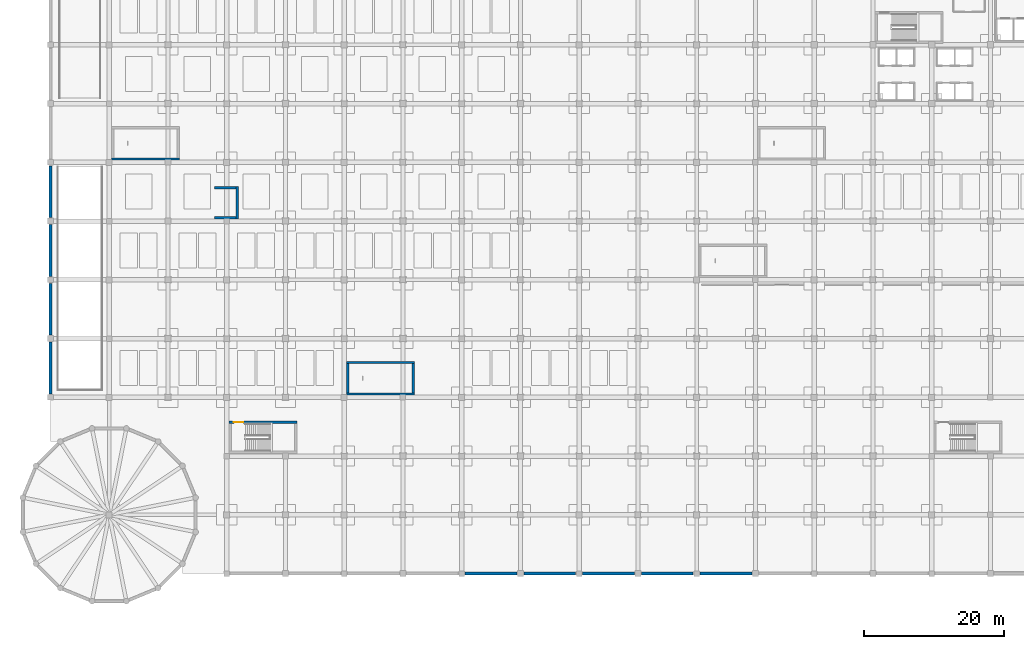
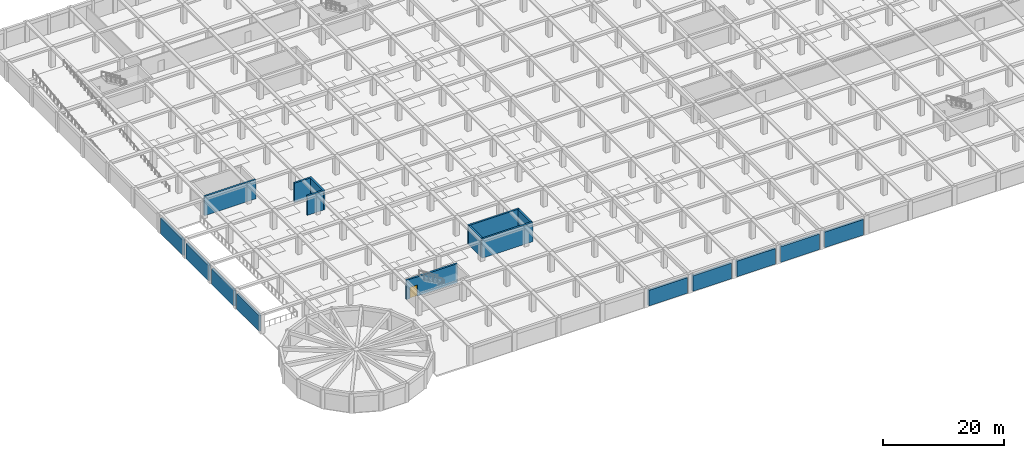
# One storey, part 15 of 32: 18 walls, 1 door, 1 opening.
"""IFC4 building model written with IfcOpenShell, lengths in metres."""

from ifc_helpers import new_model, si_unit, direction, frame, frame_2d, origin, place, context, subcontext, project, spatial, rectangle, extrude, material, layer, layer_set, type_object, element, fill, save


model = new_model("IFC4")

# Units and contexts
model_context = context("Model", 3, precision=1e-05, world=origin(), true_north=direction((0.0, 1.0)))
body_context = subcontext(model_context, "Body", "Model", "MODEL_VIEW")
ifc_project = project(units=[si_unit("LENGTHUNIT", "METRE"), si_unit("AREAUNIT", "SQUARE_METRE"), si_unit("VOLUMEUNIT", "CUBIC_METRE"), si_unit("PLANEANGLEUNIT", "RADIAN"), si_unit("MASSUNIT", "GRAM", prefix="KILO")], contexts=[model_context])

# Site, building, storey
site_placement = place(None, origin())
site = spatial("IfcSite", under=ifc_project, at=site_placement, CompositionType="ELEMENT")
building_placement = place(site_placement, origin())
building = spatial("IfcBuilding", under=site, at=building_placement, Name="Almacenes y Pasaje Nevantli", CompositionType="ELEMENT")
storey_placement = place(building_placement, frame((0.0, 0.0, -4.199951171875)))
storey = spatial("IfcBuildingStorey", under=building, at=storey_placement, Name="B01", CompositionType="ELEMENT", Elevation=-4.199951171875)

# Wall, opening, door
ifc_material_1 = material(Name="Concrete C45/55", Category="concrete")
ifc_layer_1 = layer(ifc_material_1, 0.35009765625)
ifc_layer_set_1 = layer_set([ifc_layer_1], Name="Concrete C45/55")
wall_type_1 = type_object("IfcWallType", Name="WL-CORE-350", PredefinedType="SHEAR", material=ifc_layer_set_1)
wall_1_placement = place(storey_placement, frame((25.5, 21.625, 0.0), z_axis=(0.0, 0.0, 1.0), x_axis=(1.0, 0.0, 0.0)))
wall_1 = element("IfcWall", 1, at=wall_1_placement, inside=storey, type_object=wall_type_1, Name="B01 Exit Stair ST-04 North Core Shear Wall", PredefinedType="SHEAR", context=body_context, shape_type="SweptSolid", body=[
    extrude(rectangle(XDim=9.75, YDim=0.35009765625, at=frame_2d((4.875, 0.0))), origin(), (0.0, 0.0, 1.0), 3.8798828125),
])
opening_placement = place(wall_1_placement, frame((0.719970703125, 0.0, 0.0)))
opening = element("IfcOpeningElement", 2, at=opening_placement, cuts=wall_1, Name="Opening SD-04-B01", PredefinedType="OPENING", context=body_context, shape_type="SweptSolid", body=[
    extrude(rectangle(XDim=1.35009765625, YDim=2.25, at=frame_2d((0.675048828125, 1.125))), frame((0.0, 0.18505859375, 0.0), z_axis=(0.0, -1.0, 0.0), x_axis=(1.0, 0.0, 0.0)), (0.0, 0.0, 1.0), 0.3701171875),
])
ifc_material_2 = material(Name="Galvanized Fire-Rated Steel", Category="steel")
door_type = type_object("IfcDoorType", Name="DR-STAIR-1350R", OperationType="SINGLE_SWING_RIGHT", PredefinedType="DOOR", material=ifc_material_2)
door_placement = place(opening_placement, origin())
door = element("IfcDoor", 3, at=door_placement, inside=storey, type_object=door_type, Name="B01 Smokeproof Exit Stair ST-04 Fire Door", OperationType="SINGLE_SWING_RIGHT", OverallHeight=2.25, OverallWidth=1.35009765625, PredefinedType="DOOR", context=body_context, shape_type="SweptSolid", body=[
    extrude(rectangle(XDim=1.35009765625, YDim=2.25, at=frame_2d((0.675048828125, 1.125))), frame((0.0, 0.02490234375, 0.0), z_axis=(0.0, -1.0, 0.0), x_axis=(1.0, 0.0, 0.0)), (0.0, 0.0, 1.0), 0.050048828125),
])
fill(opening, door)

# Walls
for number, where, z_axis, x_axis, name in (
    (4, (8.699951171875, 59.27490234375, 0.0), (0.0, 0.0, 1.0), (1.0, 0.0, 0.0), "B01 Exit Stair ST-12 South Core Shear Wall"),
    (5, (42.300048828125, 25.675048828125, 0.0), (0.0, 0.0, 1.0), (1.0, 0.0, 0.0), "B01 Exit Stair ST-14 South Core Shear Wall"),
    (6, (42.300048828125, 30.175048828125, 0.0), (0.0, 0.0, 1.0), (1.0, 0.0, 0.0), "B01 Exit Stair ST-14 North Core Shear Wall"),
):
    element("IfcWall", number, at=place(storey_placement, frame(where, z_axis=z_axis, x_axis=x_axis)), inside=storey, type_object=wall_type_1, Name=name, PredefinedType="SHEAR", context=body_context, shape_type="SweptSolid", body=[
        extrude(rectangle(XDim=9.75, YDim=0.35009765625, at=frame_2d((4.875, 0.0))), origin(), (0.0, 0.0, 1.0), 3.8798828125),
    ])
for number, where, z_axis, x_axis, name in (
    (7, (42.47509765625, 25.85009765625, 0.0), (0.0, 0.0, 1.0), (0.0, 1.0, 0.0), "B01 Exit Stair ST-14 West Core Shear Wall"),
    (8, (51.875, 25.85009765625, 0.0), (0.0, 0.0, 1.0), (0.0, 1.0, 0.0), "B01 Exit Stair ST-14 East Core Shear Wall"),
):
    element("IfcWall", number, at=place(storey_placement, frame(where, z_axis=z_axis, x_axis=x_axis)), inside=storey, type_object=wall_type_1, Name=name, PredefinedType="SHEAR", context=body_context, shape_type="SweptSolid", body=[
        extrude(rectangle(XDim=4.14990234375, YDim=0.35009765625, at=frame_2d((2.074951171875, 0.0))), origin(), (0.0, 0.0, 1.0), 3.8798828125),
    ])
wall_2_placement = place(storey_placement, frame((26.675048828125, 50.699951171875, 0.0), z_axis=(0.0, 0.0, 1.0), x_axis=(0.0, 1.0, 0.0)))
element("IfcWall", 9, at=wall_2_placement, inside=storey, type_object=wall_type_1, Name="B01 Monumental Stair East Support Shear Wall", PredefinedType="SHEAR", context=body_context, shape_type="SweptSolid", body=[
    extrude(rectangle(XDim=4.650146484375, YDim=0.35009765625, at=frame_2d((2.3251953125, 0.0))), origin(), (0.0, 0.0, 1.0), 3.8798828125),
])
for number, where, z_axis, x_axis, name in (
    (10, (23.449951171875, 50.875, 0.0), (0.0, 0.0, 1.0), (1.0, 0.0, 0.0), "B01 Monumental Stair South Support Shear Wall"),
    (11, (23.449951171875, 55.175048828125, 0.0), (0.0, 0.0, 1.0), (1.0, 0.0, 0.0), "B01 Monumental Stair North Support Shear Wall"),
):
    element("IfcWall", number, at=place(storey_placement, frame(where, z_axis=z_axis, x_axis=x_axis)), inside=storey, type_object=wall_type_1, Name=name, PredefinedType="SHEAR", context=body_context, shape_type="SweptSolid", body=[
        extrude(rectangle(XDim=3.050048828125, YDim=0.35009765625, at=frame_2d((1.52490234375, 0.0))), origin(), (0.0, 0.0, 1.0), 3.8798828125),
    ])
ifc_material_3 = material(Name="Concrete C45/55", Category="concrete")
ifc_layer_2 = layer(ifc_material_3, 0.39990234375)
ifc_layer_set_2 = layer_set([ifc_layer_2], Name="Concrete C45/55")
wall_type_2 = type_object("IfcWallType", Name="WL-SHEAR-400", PredefinedType="SHEAR", material=ifc_layer_set_2)
wall_3_placement = place(storey_placement, frame((59.300048828125, 0.0, 0.0), z_axis=(0.0, 0.0, 1.0), x_axis=(1.0, 0.0, 0.0)))
element("IfcWall", 12, at=wall_3_placement, inside=storey, type_object=wall_type_2, Name="B01 South Basement Retaining Shear Wall #8", PredefinedType="SHEAR", context=body_context, shape_type="SweptSolid", body=[
    extrude(rectangle(XDim=7.39990234375, YDim=0.39990234375, at=frame_2d((3.699951171875, 0.0))), origin(), (0.0, 0.0, 1.0), 3.159912109375),
])
wall_4_placement = place(storey_placement, frame((67.699951171875, 0.0, 0.0), z_axis=(0.0, 0.0, 1.0), x_axis=(1.0, 0.0, 0.0)))
element("IfcWall", 13, at=wall_4_placement, inside=storey, type_object=wall_type_2, Name="B01 South Basement Retaining Shear Wall #9", PredefinedType="SHEAR", context=body_context, shape_type="SweptSolid", body=[
    extrude(rectangle(XDim=7.400146484375, YDim=0.39990234375, at=frame_2d((3.7001953125, 0.0))), origin(), (0.0, 0.0, 1.0), 3.159912109375),
])
for number, where, z_axis, x_axis, name in (
    (14, (76.10009765625, 0.0, 0.0), (0.0, 0.0, 1.0), (1.0, 0.0, 0.0), "B01 South Basement Retaining Shear Wall #10"),
    (15, (84.5, 0.0, 0.0), (0.0, 0.0, 1.0), (1.0, 0.0, 0.0), "B01 South Basement Retaining Shear Wall #11"),
):
    element("IfcWall", number, at=place(storey_placement, frame(where, z_axis=z_axis, x_axis=x_axis)), inside=storey, type_object=wall_type_2, Name=name, PredefinedType="SHEAR", context=body_context, shape_type="SweptSolid", body=[
        extrude(rectangle(XDim=7.39990234375, YDim=0.39990234375, at=frame_2d((3.699951171875, 0.0))), origin(), (0.0, 0.0, 1.0), 3.159912109375),
    ])
for number, where, z_axis, x_axis, name in (
    (16, (92.89990234375, 0.0, 0.0), (0.0, 0.0, 1.0), (1.0, 0.0, 0.0), "B01 South Basement Retaining Shear Wall #12"),
    (17, (0.0, 25.699951171875, 0.0), (0.0, 0.0, 1.0), (0.0, 1.0, 0.0), "B01 West Basement Retaining Shear Wall #4"),
):
    element("IfcWall", number, at=place(storey_placement, frame(where, z_axis=z_axis, x_axis=x_axis)), inside=storey, type_object=wall_type_2, Name=name, PredefinedType="SHEAR", context=body_context, shape_type="SweptSolid", body=[
        extrude(rectangle(XDim=7.400146484375, YDim=0.39990234375, at=frame_2d((3.7001953125, 0.0))), origin(), (0.0, 0.0, 1.0), 3.159912109375),
    ])
for number, where, z_axis, x_axis, name in (
    (18, (0.0, 34.10009765625, 0.0), (0.0, 0.0, 1.0), (0.0, 1.0, 0.0), "B01 West Basement Retaining Shear Wall #5"),
    (19, (0.0, 42.5, 0.0), (0.0, 0.0, 1.0), (0.0, 1.0, 0.0), "B01 West Basement Retaining Shear Wall #6"),
):
    element("IfcWall", number, at=place(storey_placement, frame(where, z_axis=z_axis, x_axis=x_axis)), inside=storey, type_object=wall_type_2, Name=name, PredefinedType="SHEAR", context=body_context, shape_type="SweptSolid", body=[
        extrude(rectangle(XDim=7.39990234375, YDim=0.39990234375, at=frame_2d((3.699951171875, 0.0))), origin(), (0.0, 0.0, 1.0), 3.159912109375),
    ])
wall_5_placement = place(storey_placement, frame((0.0, 50.89990234375, 0.0), z_axis=(0.0, 0.0, 1.0), x_axis=(0.0, 1.0, 0.0)))
element("IfcWall", 20, at=wall_5_placement, inside=storey, type_object=wall_type_2, Name="B01 West Basement Retaining Shear Wall #7", PredefinedType="SHEAR", context=body_context, shape_type="SweptSolid", body=[
    extrude(rectangle(XDim=7.400146484375, YDim=0.39990234375, at=frame_2d((3.7001953125, 0.0))), origin(), (0.0, 0.0, 1.0), 3.159912109375),
])

save(model, "model.ifc")
